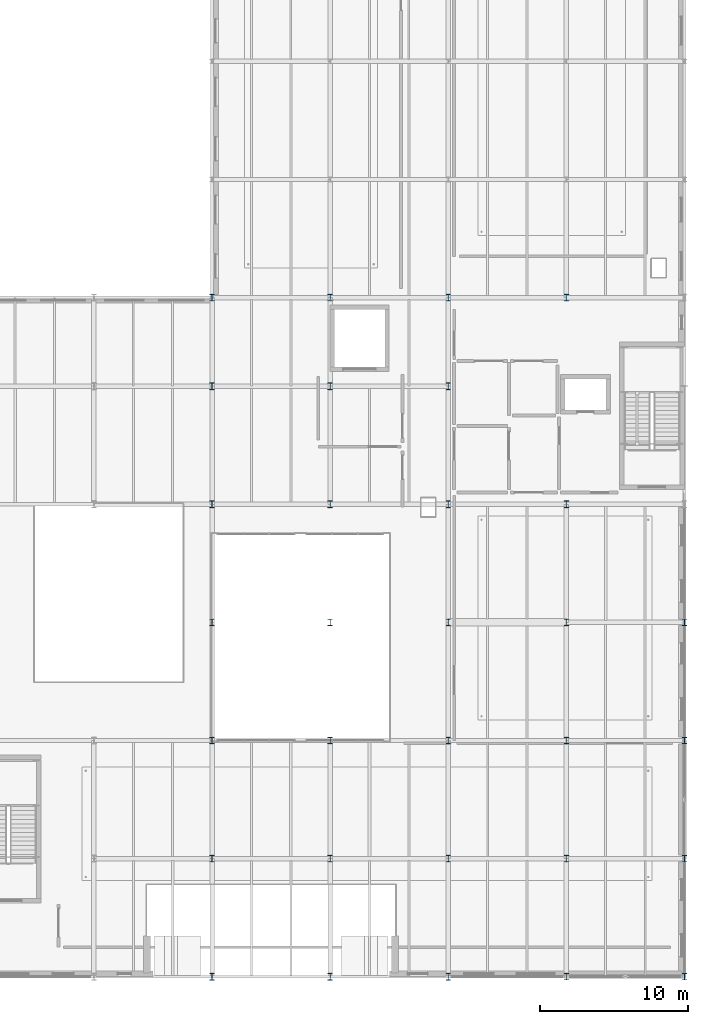
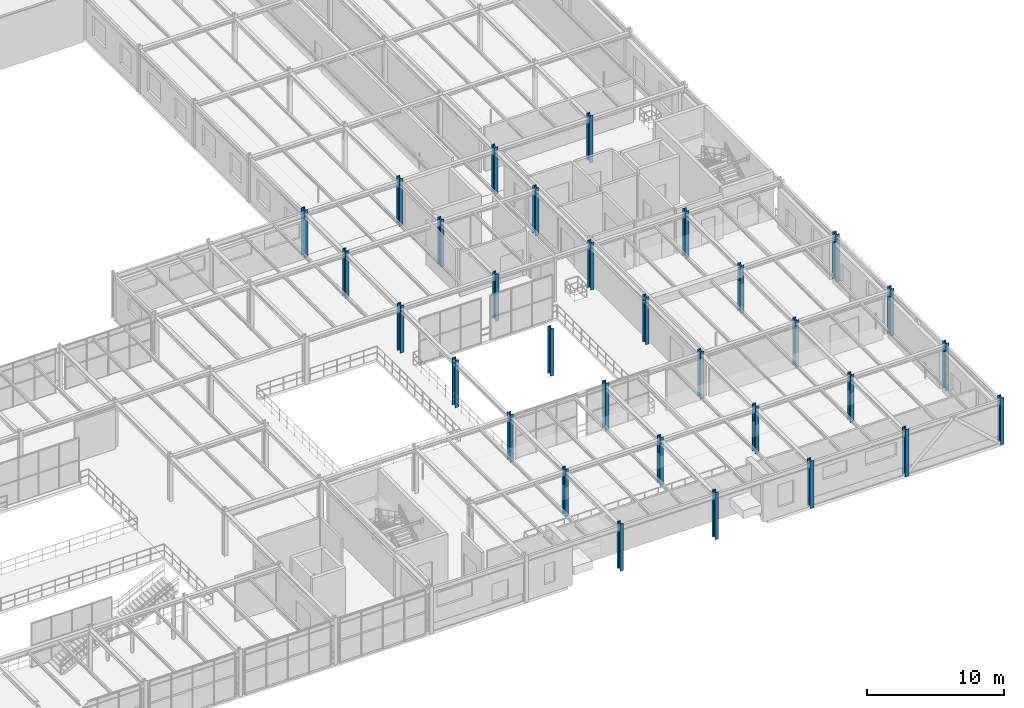
# One storey, part 14 of 124: 31 columns.
"""IFC4 building model written with IfcOpenShell, lengths in metres."""

from ifc_helpers import new_model, si_unit, direction, frame, origin, origin_2d, place, context, subcontext, project, spatial, i_section, extrude, material, material_profile, profile_set, type_object, element, save


model = new_model("IFC4")

# Units and contexts
model_context = context("Model", 3, precision=1e-05, world=origin(), true_north=direction((0.0, 1.0)))
body_context = subcontext(model_context, "Body", "Model", "MODEL_VIEW")
ifc_project = project(units=[si_unit("LENGTHUNIT", "METRE"), si_unit("AREAUNIT", "SQUARE_METRE"), si_unit("VOLUMEUNIT", "CUBIC_METRE"), si_unit("PLANEANGLEUNIT", "RADIAN"), si_unit("MASSUNIT", "GRAM", prefix="KILO")], contexts=[model_context])

# Site, building, storey
site_placement = place(None, origin())
site = spatial("IfcSite", under=ifc_project, at=site_placement, CompositionType="ELEMENT")
building_placement = place(site_placement, origin())
building = spatial("IfcBuilding", under=site, at=building_placement, Name="Sundkrona Museum", CompositionType="ELEMENT")
storey_placement = place(building_placement, frame((0.0, 0.0, 17.60009765625)))
storey = spatial("IfcBuildingStorey", under=building, at=storey_placement, Name="L03", CompositionType="ELEMENT", Elevation=17.60009765625)

# Columns
ifc_material = material(Name="Steel S355J2", Category="steel")
ifc_material_profile = material_profile(ifc_material, i_section(OverallWidth=0.300048828125, OverallDepth=0.449951171875, WebThickness=0.013916015625, FlangeThickness=0.02587890625, FilletRadius=0.027099609375, at=origin_2d()), Name="HEB 450")
ifc_profile_set = profile_set([ifc_material_profile], Name="Steel S355J2")
column_type = type_object("IfcColumnType", Name="C-HEB450", PredefinedType="COLUMN", material=ifc_profile_set)
for number, where, z_axis, x_axis, name in (
    (1, (136.0, 0.0, 0.0), (0.0, 0.0, 1.0), (1.0, 0.0, 0.0), "L03 Column A/18"),
    (2, (136.0, 8.0, 0.0), (0.0, 0.0, 1.0), (1.0, 0.0, 0.0), "L03 Column B/18"),
    (3, (136.0, 16.0, 0.0), (0.0, 0.0, 1.0), (1.0, 0.0, 0.0), "L03 Column C/18"),
    (4, (136.0, 24.0, 0.0), (0.0, 0.0, 1.0), (1.0, 0.0, 0.0), "L03 Column D/18"),
    (5, (136.0, 32.0, 0.0), (0.0, 0.0, 1.0), (1.0, 0.0, 0.0), "L03 Column E/18"),
    (6, (136.0, 40.0, 0.0), (0.0, 0.0, 1.0), (1.0, 0.0, 0.0), "L03 Column F/18"),
    (7, (136.0, 46.0, 0.0), (0.0, 0.0, 1.0), (1.0, 0.0, 0.0), "L03 Column G/18"),
    (8, (144.0, 0.0, 0.0), (0.0, 0.0, 1.0), (1.0, 0.0, 0.0), "L03 Column A/19"),
    (9, (144.0, 8.0, 0.0), (0.0, 0.0, 1.0), (1.0, 0.0, 0.0), "L03 Column B/19"),
    (10, (144.0, 16.0, 0.0), (0.0, 0.0, 1.0), (1.0, 0.0, 0.0), "L03 Column C/19"),
    (11, (144.0, 24.0, 0.0), (0.0, 0.0, 1.0), (1.0, 0.0, 0.0), "L03 Column D/19"),
    (12, (144.0, 32.0, 0.0), (0.0, 0.0, 1.0), (1.0, 0.0, 0.0), "L03 Column E/19"),
    (13, (144.0, 40.0, 0.0), (0.0, 0.0, 1.0), (1.0, 0.0, 0.0), "L03 Column F/19"),
    (14, (144.0, 46.0, 0.0), (0.0, 0.0, 1.0), (1.0, 0.0, 0.0), "L03 Column G/19"),
    (15, (152.0, 0.0, 0.0), (0.0, 0.0, 1.0), (1.0, 0.0, 0.0), "L03 Column A/20"),
    (16, (152.0, 8.0, 0.0), (0.0, 0.0, 1.0), (1.0, 0.0, 0.0), "L03 Column B/20"),
    (17, (152.0, 16.0, 0.0), (0.0, 0.0, 1.0), (1.0, 0.0, 0.0), "L03 Column C/20"),
    (18, (152.0, 24.0, 0.0), (0.0, 0.0, 1.0), (1.0, 0.0, 0.0), "L03 Column D/20"),
    (19, (152.0, 32.0, 0.0), (0.0, 0.0, 1.0), (1.0, 0.0, 0.0), "L03 Column E/20"),
    (20, (152.0, 40.0, 0.0), (0.0, 0.0, 1.0), (1.0, 0.0, 0.0), "L03 Column F/20"),
    (21, (152.0, 46.0, 0.0), (0.0, 0.0, 1.0), (1.0, 0.0, 0.0), "L03 Column G/20"),
    (22, (160.0, 0.0, 0.0), (0.0, 0.0, 1.0), (1.0, 0.0, 0.0), "L03 Column A/21"),
    (23, (160.0, 8.0, 0.0), (0.0, 0.0, 1.0), (1.0, 0.0, 0.0), "L03 Column B/21"),
    (24, (160.0, 16.0, 0.0), (0.0, 0.0, 1.0), (1.0, 0.0, 0.0), "L03 Column C/21"),
    (25, (160.0, 24.0, 0.0), (0.0, 0.0, 1.0), (1.0, 0.0, 0.0), "L03 Column D/21"),
    (26, (160.0, 32.0, 0.0), (0.0, 0.0, 1.0), (1.0, 0.0, 0.0), "L03 Column E/21"),
    (27, (160.0, 46.0, 0.0), (0.0, 0.0, 1.0), (1.0, 0.0, 0.0), "L03 Column G/21"),
    (28, (168.0, 0.0, 0.0), (0.0, 0.0, 1.0), (1.0, 0.0, 0.0), "L03 Column A/22"),
    (29, (168.0, 8.0, 0.0), (0.0, 0.0, 1.0), (1.0, 0.0, 0.0), "L03 Column B/22"),
    (30, (168.0, 16.0, 0.0), (0.0, 0.0, 1.0), (1.0, 0.0, 0.0), "L03 Column C/22"),
    (31, (168.0, 24.0, 0.0), (0.0, 0.0, 1.0), (1.0, 0.0, 0.0), "L03 Column D/22"),
):
    element("IfcColumn", number, at=place(storey_placement, frame(where, z_axis=z_axis, x_axis=x_axis)), inside=storey, type_object=column_type, Name=name, PredefinedType="COLUMN", context=body_context, shape_type="SweptSolid", body=[
        extrude(i_section(OverallWidth=0.300048828125, OverallDepth=0.449951171875, WebThickness=0.013916015625, FlangeThickness=0.02587890625, FilletRadius=0.027099609375, at=origin_2d()), origin(), (0.0, 0.0, 1.0), 4.199951171875),
    ])

save(model, "model.ifc")
